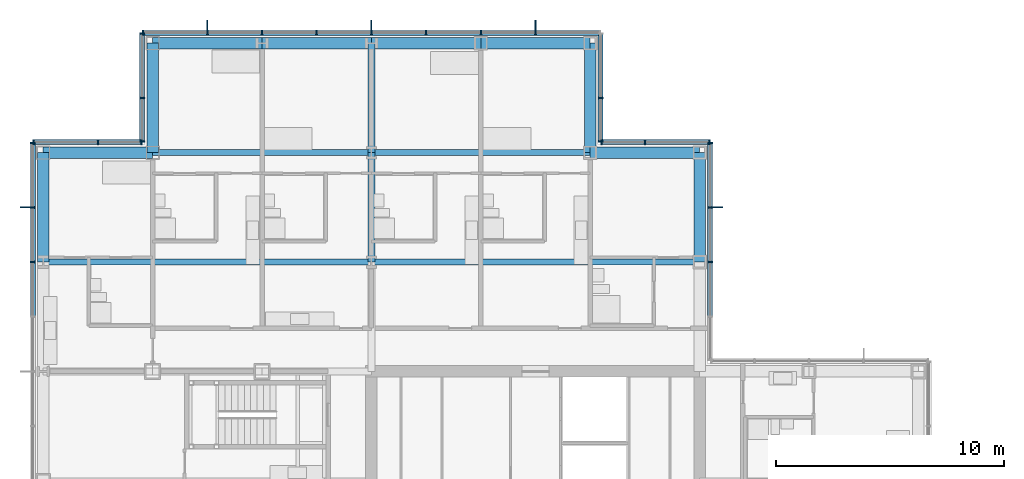
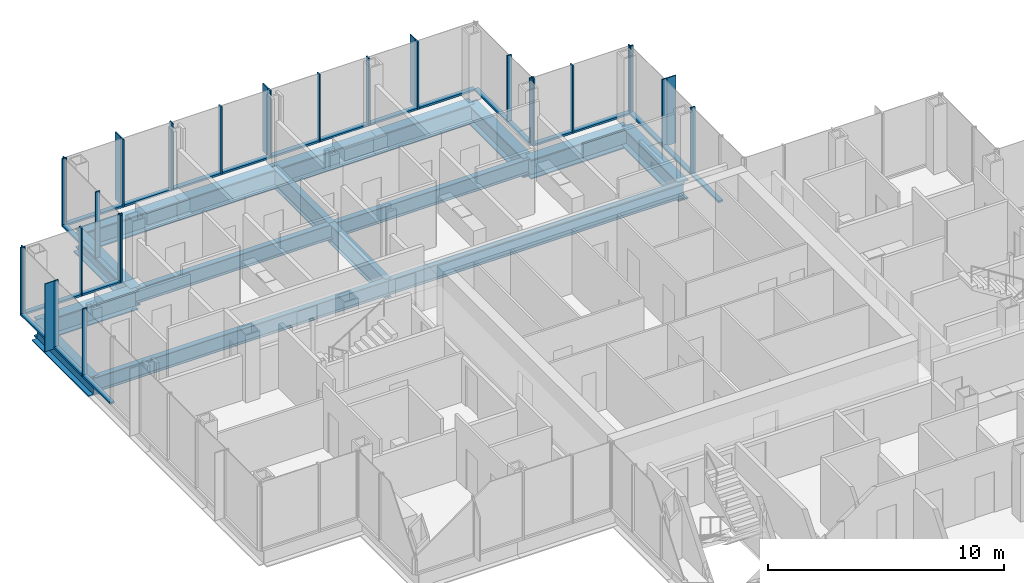
# One storey, part 10 of 20: 52 members, 16 beams, 7 elements without a shape of their own.
"""IFC4 building model written with IfcOpenShell, lengths in metres."""

from ifc_helpers import new_model, si_unit, direction, frame, origin, origin_2d, place, context, subcontext, project, spatial, rectangle, i_section, extrude, material, material_profile, profile_set, type_object, element, aggregate, save


model = new_model("IFC4")

# Units and contexts
model_context = context("Model", 3, precision=1e-05, world=origin(), true_north=direction((0.0, 1.0)))
body_context = subcontext(model_context, "Body", "Model", "MODEL_VIEW")
ifc_project = project(units=[si_unit("LENGTHUNIT", "METRE"), si_unit("AREAUNIT", "SQUARE_METRE"), si_unit("VOLUMEUNIT", "CUBIC_METRE"), si_unit("PLANEANGLEUNIT", "RADIAN"), si_unit("MASSUNIT", "GRAM", prefix="KILO")], contexts=[model_context])

# Site, building, storey
site_placement = place(None, origin())
site = spatial("IfcSite", under=ifc_project, at=site_placement, CompositionType="ELEMENT")
building_placement = place(site_placement, origin())
building = spatial("IfcBuilding", under=site, at=building_placement, Name="Kvirike Care Tower", CompositionType="ELEMENT")
storey_placement = place(building_placement, frame((0.0, 0.0, 91.0)))
storey = spatial("IfcBuildingStorey", under=building, at=storey_placement, Name="L24", CompositionType="ELEMENT", Elevation=91.0)

# Curtain wall, member
ifc_material_1 = material(Name="Anodised aluminium stick system", Category="aluminium")
curtain_wall_type = type_object("IfcCurtainWallType", Name="CW-B STICK CURTAIN WALL", PredefinedType="NOTDEFINED", material=ifc_material_1)
curtain_wall_1_placement = place(storey_placement, origin())
curtain_wall_1 = element("IfcCurtainWall", 1, at=curtain_wall_1_placement, inside=storey, type_object=curtain_wall_type, Name="Curtain wall L24 face 5", PredefinedType="NOTDEFINED")
ifc_material_2 = material(Name="Bronze anodised aluminium fin", Category="aluminium")
ifc_material_profile_1 = material_profile(ifc_material_2, rectangle(XDim=0.050048828125, YDim=0.449951171875, at=origin_2d()), Name="BRONZE FIN 450")
ifc_profile_set_1 = profile_set([ifc_material_profile_1], Name="Bronze anodised aluminium fin")
member_type_1 = type_object("IfcMemberType", Name="BRONZE FIN 450", PredefinedType="USERDEFINED", material=ifc_profile_set_1)
member_1_placement = place(storey_placement, frame((29.594970703125, 50.39990234375, 0.0), z_axis=(0.0, 0.0, 1.0), x_axis=(0.0, 1.0, 0.0)))
member_1 = element("IfcMember", 2, at=member_1_placement, type_object=member_type_1, Name="Bronze fin L24 face 5.4", ObjectType="FIN", PredefinedType="USERDEFINED", context=body_context, shape_type="SweptSolid", body=[
    extrude(rectangle(XDim=0.050048828125, YDim=0.449951171875, at=origin_2d()), origin(), (0.0, 0.0, 1.0), 3.5),
])

# Curtain wall, members
curtain_wall_2_placement = place(storey_placement, origin())
curtain_wall_2 = element("IfcCurtainWall", 3, at=curtain_wall_2_placement, inside=storey, type_object=curtain_wall_type, Name="Curtain wall L24 face 8", PredefinedType="NOTDEFINED")
member_2_placement = place(storey_placement, frame((21.60009765625, 58.39501953125, 0.0), z_axis=(0.0, 0.0, 1.0), x_axis=(-1.0, 0.0, 0.0)))
member_2 = element("IfcMember", 4, at=member_2_placement, type_object=member_type_1, Name="Bronze fin L24 face 8.2", ObjectType="FIN", PredefinedType="USERDEFINED", context=body_context, shape_type="SweptSolid", body=[
    extrude(rectangle(XDim=0.050048828125, YDim=0.449951171875, at=origin_2d()), origin(), (0.0, 0.0, 1.0), 3.5),
])
member_3_placement = place(storey_placement, frame((14.39990234375, 58.39501953125, 0.0), z_axis=(0.0, 0.0, 1.0), x_axis=(-1.0, 0.0, 0.0)))
member_3 = element("IfcMember", 5, at=member_3_placement, type_object=member_type_1, Name="Bronze fin L24 face 8.5", ObjectType="FIN", PredefinedType="USERDEFINED", context=body_context, shape_type="SweptSolid", body=[
    extrude(rectangle(XDim=0.050048828125, YDim=0.449951171875, at=origin_2d()), origin(), (0.0, 0.0, 1.0), 3.5),
])
member_4_placement = place(storey_placement, frame((7.199951171875, 58.39501953125, 0.0), z_axis=(0.0, 0.0, 1.0), x_axis=(-1.0, 0.0, 0.0)))
member_4 = element("IfcMember", 6, at=member_4_placement, type_object=member_type_1, Name="Bronze fin L24 face 8.8", ObjectType="FIN", PredefinedType="USERDEFINED", context=body_context, shape_type="SweptSolid", body=[
    extrude(rectangle(XDim=0.050048828125, YDim=0.449951171875, at=origin_2d()), origin(), (0.0, 0.0, 1.0), 3.5),
])

# Curtain wall, member
curtain_wall_3_placement = place(storey_placement, origin())
curtain_wall_3 = element("IfcCurtainWall", 7, at=curtain_wall_3_placement, inside=storey, type_object=curtain_wall_type, Name="Curtain wall L24 face 11", PredefinedType="NOTDEFINED")
member_5_placement = place(storey_placement, frame((-0.794921875, 50.39990234375, 0.0), z_axis=(0.0, 0.0, 1.0), x_axis=(0.0, -1.0, 0.0)))
member_5 = element("IfcMember", 8, at=member_5_placement, type_object=member_type_1, Name="Bronze fin L24 face 11.2", ObjectType="FIN", PredefinedType="USERDEFINED", context=body_context, shape_type="SweptSolid", body=[
    extrude(rectangle(XDim=0.050048828125, YDim=0.449951171875, at=origin_2d()), origin(), (0.0, 0.0, 1.0), 3.5),
])

# Member
ifc_material_3 = material(Name="Bronze anodised aluminium mullion", Category="aluminium")
ifc_material_profile_2 = material_profile(ifc_material_3, rectangle(XDim=0.06494140625, YDim=0.219970703125, at=origin_2d()), Name="CW-B MULLION 65x220")
ifc_profile_set_2 = profile_set([ifc_material_profile_2], Name="Bronze anodised aluminium mullion")
member_type_2 = type_object("IfcMemberType", Name="CW-B MULLION 65x220", PredefinedType="MULLION", material=ifc_profile_set_2)
member_6_placement = place(storey_placement, frame((29.260009765625, 48.0, 0.0), z_axis=(0.0, 0.0, 1.0), x_axis=(0.0, 1.0, 0.0)))
member_6 = element("IfcMember", 9, at=member_6_placement, type_object=member_type_2, Name="CW-B mullion L24 face 5.3", PredefinedType="MULLION", context=body_context, shape_type="SweptSolid", body=[
    extrude(rectangle(XDim=0.06494140625, YDim=0.219970703125, at=origin_2d()), origin(), (0.0, 0.0, 1.0), 3.5),
])

member_7_placement = place(storey_placement, frame((29.260009765625, 50.39990234375, 0.0), z_axis=(0.0, 0.0, 1.0), x_axis=(0.0, 1.0, 0.0)))
member_7 = element("IfcMember", 10, at=member_7_placement, type_object=member_type_2, Name="CW-B mullion L24 face 5.4", PredefinedType="MULLION", context=body_context, shape_type="SweptSolid", body=[
    extrude(rectangle(XDim=0.06494140625, YDim=0.219970703125, at=origin_2d()), origin(), (0.0, 0.0, 1.0), 3.5),
])

member_8_placement = place(storey_placement, frame((29.260009765625, 53.2275390625, 0.0), z_axis=(0.0, 0.0, 1.0), x_axis=(0.0, 1.0, 0.0)))
member_8 = element("IfcMember", 11, at=member_8_placement, type_object=member_type_2, Name="CW-B mullion L24 face 5.5", PredefinedType="MULLION", context=body_context, shape_type="SweptSolid", body=[
    extrude(rectangle(XDim=0.06494140625, YDim=0.219970703125, at=origin_2d()), origin(), (0.0, 0.0, 1.0), 3.5),
])

# Curtain wall, members
curtain_wall_4_placement = place(storey_placement, origin())
curtain_wall_4 = element("IfcCurtainWall", 12, at=curtain_wall_4_placement, inside=storey, type_object=curtain_wall_type, Name="Curtain wall L24 face 6", PredefinedType="NOTDEFINED")
member_9_placement = place(storey_placement, frame((29.2275390625, 53.260009765625, 0.0), z_axis=(0.0, 0.0, 1.0), x_axis=(-1.0, 0.0, 0.0)))
member_9 = element("IfcMember", 13, at=member_9_placement, type_object=member_type_2, Name="CW-B mullion L24 face 6.1", PredefinedType="MULLION", context=body_context, shape_type="SweptSolid", body=[
    extrude(rectangle(XDim=0.06494140625, YDim=0.219970703125, at=origin_2d()), origin(), (0.0, 0.0, 1.0), 3.5),
])
member_10_placement = place(storey_placement, frame((26.39990234375, 53.260009765625, 0.0), z_axis=(0.0, 0.0, 1.0), x_axis=(-1.0, 0.0, 0.0)))
member_10 = element("IfcMember", 14, at=member_10_placement, type_object=member_type_2, Name="CW-B mullion L24 face 6.2", PredefinedType="MULLION", context=body_context, shape_type="SweptSolid", body=[
    extrude(rectangle(XDim=0.06494140625, YDim=0.219970703125, at=origin_2d()), origin(), (0.0, 0.0, 1.0), 3.5),
])
member_11_placement = place(storey_placement, frame((24.492431640625, 53.260009765625, 0.0), z_axis=(0.0, 0.0, 1.0), x_axis=(-1.0, 0.0, 0.0)))
member_11 = element("IfcMember", 15, at=member_11_placement, type_object=member_type_2, Name="CW-B mullion L24 face 6.3", PredefinedType="MULLION", context=body_context, shape_type="SweptSolid", body=[
    extrude(rectangle(XDim=0.06494140625, YDim=0.219970703125, at=origin_2d()), origin(), (0.0, 0.0, 1.0), 3.5),
])

curtain_wall_5_placement = place(storey_placement, origin())
curtain_wall_5 = element("IfcCurtainWall", 16, at=curtain_wall_5_placement, inside=storey, type_object=curtain_wall_type, Name="Curtain wall L24 face 7", PredefinedType="NOTDEFINED")
member_12_placement = place(storey_placement, frame((24.4599609375, 53.29248046875, 0.0), z_axis=(0.0, 0.0, 1.0), x_axis=(0.0, 1.0, 0.0)))
member_12 = element("IfcMember", 17, at=member_12_placement, type_object=member_type_2, Name="CW-B mullion L24 face 7.1", PredefinedType="MULLION", context=body_context, shape_type="SweptSolid", body=[
    extrude(rectangle(XDim=0.06494140625, YDim=0.219970703125, at=origin_2d()), origin(), (0.0, 0.0, 1.0), 3.5),
])
member_13_placement = place(storey_placement, frame((24.4599609375, 55.199951171875, 0.0), z_axis=(0.0, 0.0, 1.0), x_axis=(0.0, 1.0, 0.0)))
member_13 = element("IfcMember", 18, at=member_13_placement, type_object=member_type_2, Name="CW-B mullion L24 face 7.2", PredefinedType="MULLION", context=body_context, shape_type="SweptSolid", body=[
    extrude(rectangle(XDim=0.06494140625, YDim=0.219970703125, at=origin_2d()), origin(), (0.0, 0.0, 1.0), 3.5),
])

# Member
member_14_placement = place(storey_placement, frame((21.60009765625, 58.06005859375, 0.0), z_axis=(0.0, 0.0, 1.0), x_axis=(-1.0, 0.0, 0.0)))
member_14 = element("IfcMember", 19, at=member_14_placement, type_object=member_type_2, Name="CW-B mullion L24 face 8.2", PredefinedType="MULLION", context=body_context, shape_type="SweptSolid", body=[
    extrude(rectangle(XDim=0.06494140625, YDim=0.219970703125, at=origin_2d()), origin(), (0.0, 0.0, 1.0), 3.5),
])

member_15_placement = place(storey_placement, frame((19.199951171875, 58.06005859375, 0.0), z_axis=(0.0, 0.0, 1.0), x_axis=(-1.0, 0.0, 0.0)))
member_15 = element("IfcMember", 20, at=member_15_placement, type_object=member_type_2, Name="CW-B mullion L24 face 8.3", PredefinedType="MULLION", context=body_context, shape_type="SweptSolid", body=[
    extrude(rectangle(XDim=0.06494140625, YDim=0.219970703125, at=origin_2d()), origin(), (0.0, 0.0, 1.0), 3.5),
])

member_16_placement = place(storey_placement, frame((16.800048828125, 58.06005859375, 0.0), z_axis=(0.0, 0.0, 1.0), x_axis=(-1.0, 0.0, 0.0)))
member_16 = element("IfcMember", 21, at=member_16_placement, type_object=member_type_2, Name="CW-B mullion L24 face 8.4", PredefinedType="MULLION", context=body_context, shape_type="SweptSolid", body=[
    extrude(rectangle(XDim=0.06494140625, YDim=0.219970703125, at=origin_2d()), origin(), (0.0, 0.0, 1.0), 3.5),
])

member_17_placement = place(storey_placement, frame((14.39990234375, 58.06005859375, 0.0), z_axis=(0.0, 0.0, 1.0), x_axis=(-1.0, 0.0, 0.0)))
member_17 = element("IfcMember", 22, at=member_17_placement, type_object=member_type_2, Name="CW-B mullion L24 face 8.5", PredefinedType="MULLION", context=body_context, shape_type="SweptSolid", body=[
    extrude(rectangle(XDim=0.06494140625, YDim=0.219970703125, at=origin_2d()), origin(), (0.0, 0.0, 1.0), 3.5),
])

member_18_placement = place(storey_placement, frame((12.0, 58.06005859375, 0.0), z_axis=(0.0, 0.0, 1.0), x_axis=(-1.0, 0.0, 0.0)))
member_18 = element("IfcMember", 23, at=member_18_placement, type_object=member_type_2, Name="CW-B mullion L24 face 8.6", PredefinedType="MULLION", context=body_context, shape_type="SweptSolid", body=[
    extrude(rectangle(XDim=0.06494140625, YDim=0.219970703125, at=origin_2d()), origin(), (0.0, 0.0, 1.0), 3.5),
])

member_19_placement = place(storey_placement, frame((9.60009765625, 58.06005859375, 0.0), z_axis=(0.0, 0.0, 1.0), x_axis=(-1.0, 0.0, 0.0)))
member_19 = element("IfcMember", 24, at=member_19_placement, type_object=member_type_2, Name="CW-B mullion L24 face 8.7", PredefinedType="MULLION", context=body_context, shape_type="SweptSolid", body=[
    extrude(rectangle(XDim=0.06494140625, YDim=0.219970703125, at=origin_2d()), origin(), (0.0, 0.0, 1.0), 3.5),
])

member_20_placement = place(storey_placement, frame((7.199951171875, 58.06005859375, 0.0), z_axis=(0.0, 0.0, 1.0), x_axis=(-1.0, 0.0, 0.0)))
member_20 = element("IfcMember", 25, at=member_20_placement, type_object=member_type_2, Name="CW-B mullion L24 face 8.8", PredefinedType="MULLION", context=body_context, shape_type="SweptSolid", body=[
    extrude(rectangle(XDim=0.06494140625, YDim=0.219970703125, at=origin_2d()), origin(), (0.0, 0.0, 1.0), 3.5),
])

member_21_placement = place(storey_placement, frame((4.37255859375, 58.06005859375, 0.0), z_axis=(0.0, 0.0, 1.0), x_axis=(-1.0, 0.0, 0.0)))
member_21 = element("IfcMember", 26, at=member_21_placement, type_object=member_type_2, Name="CW-B mullion L24 face 8.9", PredefinedType="MULLION", context=body_context, shape_type="SweptSolid", body=[
    extrude(rectangle(XDim=0.06494140625, YDim=0.219970703125, at=origin_2d()), origin(), (0.0, 0.0, 1.0), 3.5),
])

# Curtain wall, members
curtain_wall_6_placement = place(storey_placement, origin())
curtain_wall_6 = element("IfcCurtainWall", 27, at=curtain_wall_6_placement, inside=storey, type_object=curtain_wall_type, Name="Curtain wall L24 face 9", PredefinedType="NOTDEFINED")
member_22_placement = place(storey_placement, frame((4.340087890625, 58.027587890625, 0.0), z_axis=(0.0, 0.0, 1.0), x_axis=(0.0, -1.0, 0.0)))
member_22 = element("IfcMember", 28, at=member_22_placement, type_object=member_type_2, Name="CW-B mullion L24 face 9.1", PredefinedType="MULLION", context=body_context, shape_type="SweptSolid", body=[
    extrude(rectangle(XDim=0.06494140625, YDim=0.219970703125, at=origin_2d()), origin(), (0.0, 0.0, 1.0), 3.5),
])
member_23_placement = place(storey_placement, frame((4.340087890625, 55.199951171875, 0.0), z_axis=(0.0, 0.0, 1.0), x_axis=(0.0, -1.0, 0.0)))
member_23 = element("IfcMember", 29, at=member_23_placement, type_object=member_type_2, Name="CW-B mullion L24 face 9.2", PredefinedType="MULLION", context=body_context, shape_type="SweptSolid", body=[
    extrude(rectangle(XDim=0.06494140625, YDim=0.219970703125, at=origin_2d()), origin(), (0.0, 0.0, 1.0), 3.5),
])
member_24_placement = place(storey_placement, frame((4.340087890625, 53.29248046875, 0.0), z_axis=(0.0, 0.0, 1.0), x_axis=(0.0, -1.0, 0.0)))
member_24 = element("IfcMember", 30, at=member_24_placement, type_object=member_type_2, Name="CW-B mullion L24 face 9.3", PredefinedType="MULLION", context=body_context, shape_type="SweptSolid", body=[
    extrude(rectangle(XDim=0.06494140625, YDim=0.219970703125, at=origin_2d()), origin(), (0.0, 0.0, 1.0), 3.5),
])

curtain_wall_7_placement = place(storey_placement, origin())
curtain_wall_7 = element("IfcCurtainWall", 31, at=curtain_wall_7_placement, inside=storey, type_object=curtain_wall_type, Name="Curtain wall L24 face 10", PredefinedType="NOTDEFINED")
member_25_placement = place(storey_placement, frame((4.3076171875, 53.260009765625, 0.0), z_axis=(0.0, 0.0, 1.0), x_axis=(-1.0, 0.0, 0.0)))
member_25 = element("IfcMember", 32, at=member_25_placement, type_object=member_type_2, Name="CW-B mullion L24 face 10.1", PredefinedType="MULLION", context=body_context, shape_type="SweptSolid", body=[
    extrude(rectangle(XDim=0.06494140625, YDim=0.219970703125, at=origin_2d()), origin(), (0.0, 0.0, 1.0), 3.5),
])
member_26_placement = place(storey_placement, frame((2.39990234375, 53.260009765625, 0.0), z_axis=(0.0, 0.0, 1.0), x_axis=(-1.0, 0.0, 0.0)))
member_26 = element("IfcMember", 33, at=member_26_placement, type_object=member_type_2, Name="CW-B mullion L24 face 10.2", PredefinedType="MULLION", context=body_context, shape_type="SweptSolid", body=[
    extrude(rectangle(XDim=0.06494140625, YDim=0.219970703125, at=origin_2d()), origin(), (0.0, 0.0, 1.0), 3.5),
])
member_27_placement = place(storey_placement, frame((-0.427490234375, 53.260009765625, 0.0), z_axis=(0.0, 0.0, 1.0), x_axis=(-1.0, 0.0, 0.0)))
member_27 = element("IfcMember", 34, at=member_27_placement, type_object=member_type_2, Name="CW-B mullion L24 face 10.3", PredefinedType="MULLION", context=body_context, shape_type="SweptSolid", body=[
    extrude(rectangle(XDim=0.06494140625, YDim=0.219970703125, at=origin_2d()), origin(), (0.0, 0.0, 1.0), 3.5),
])

# Member
member_28_placement = place(storey_placement, frame((-0.4599609375, 53.2275390625, 0.0), z_axis=(0.0, 0.0, 1.0), x_axis=(0.0, -1.0, 0.0)))
member_28 = element("IfcMember", 35, at=member_28_placement, type_object=member_type_2, Name="CW-B mullion L24 face 11.1", PredefinedType="MULLION", context=body_context, shape_type="SweptSolid", body=[
    extrude(rectangle(XDim=0.06494140625, YDim=0.219970703125, at=origin_2d()), origin(), (0.0, 0.0, 1.0), 3.5),
])

member_29_placement = place(storey_placement, frame((-0.4599609375, 50.39990234375, 0.0), z_axis=(0.0, 0.0, 1.0), x_axis=(0.0, -1.0, 0.0)))
member_29 = element("IfcMember", 36, at=member_29_placement, type_object=member_type_2, Name="CW-B mullion L24 face 11.2", PredefinedType="MULLION", context=body_context, shape_type="SweptSolid", body=[
    extrude(rectangle(XDim=0.06494140625, YDim=0.219970703125, at=origin_2d()), origin(), (0.0, 0.0, 1.0), 3.5),
])

member_30_placement = place(storey_placement, frame((-0.4599609375, 48.0, 0.0), z_axis=(0.0, 0.0, 1.0), x_axis=(0.0, -1.0, 0.0)))
member_30 = element("IfcMember", 37, at=member_30_placement, type_object=member_type_2, Name="CW-B mullion L24 face 11.3", PredefinedType="MULLION", context=body_context, shape_type="SweptSolid", body=[
    extrude(rectangle(XDim=0.06494140625, YDim=0.219970703125, at=origin_2d()), origin(), (0.0, 0.0, 1.0), 3.5),
])

ifc_material_4 = material(Name="Bronze anodised aluminium transom", Category="aluminium")
ifc_material_profile_3 = material_profile(ifc_material_4, rectangle(XDim=0.219970703125, YDim=0.10009765625, at=origin_2d()), Name="CW-B TRANSOM 220x100")
ifc_profile_set_3 = profile_set([ifc_material_profile_3], Name="Bronze anodised aluminium transom")
member_type_3 = type_object("IfcMemberType", Name="CW-B TRANSOM 220x100", PredefinedType="USERDEFINED", material=ifc_profile_set_3)
member_31_placement = place(storey_placement, frame((29.260009765625, 45.632568359375, 0.050048828125), z_axis=(0.0, 1.0, 0.0), x_axis=(-1.0, 0.0, 0.0)))
member_31 = element("IfcMember", 38, at=member_31_placement, type_object=member_type_3, Name="CW-B sill transom L24 face 5.2", ObjectType="TRANSOM", PredefinedType="USERDEFINED", context=body_context, shape_type="SweptSolid", body=[
    extrude(rectangle(XDim=0.219970703125, YDim=0.10009765625, at=origin_2d()), origin(), (0.0, 0.0, 1.0), 2.3349609375),
])

member_32_placement = place(storey_placement, frame((29.260009765625, 48.032470703125, 0.050048828125), z_axis=(0.0, 1.0, 0.0), x_axis=(-1.0, 0.0, 0.0)))
member_32 = element("IfcMember", 39, at=member_32_placement, type_object=member_type_3, Name="CW-B sill transom L24 face 5.3", ObjectType="TRANSOM", PredefinedType="USERDEFINED", context=body_context, shape_type="SweptSolid", body=[
    extrude(rectangle(XDim=0.219970703125, YDim=0.10009765625, at=origin_2d()), origin(), (0.0, 0.0, 1.0), 2.3349609375),
])

member_33_placement = place(storey_placement, frame((29.260009765625, 50.4326171875, 0.050048828125), z_axis=(0.0, 1.0, 0.0), x_axis=(-1.0, 0.0, 0.0)))
member_33 = element("IfcMember", 40, at=member_33_placement, type_object=member_type_3, Name="CW-B sill transom L24 face 5.4", ObjectType="TRANSOM", PredefinedType="USERDEFINED", context=body_context, shape_type="SweptSolid", body=[
    extrude(rectangle(XDim=0.219970703125, YDim=0.10009765625, at=origin_2d()), origin(), (0.0, 0.0, 1.0), 2.762451171875),
])

aggregate(curtain_wall_1, [member_6, member_7, member_1, member_8, member_31, member_32, member_33])

member_34_placement = place(storey_placement, frame((29.195068359375, 53.260009765625, 0.050048828125), z_axis=(-1.0, 0.0, 0.0), x_axis=(0.0, -1.0, 0.0)))
member_34 = element("IfcMember", 41, at=member_34_placement, type_object=member_type_3, Name="CW-B sill transom L24 face 6.1", ObjectType="TRANSOM", PredefinedType="USERDEFINED", context=body_context, shape_type="SweptSolid", body=[
    extrude(rectangle(XDim=0.219970703125, YDim=0.10009765625, at=origin_2d()), origin(), (0.0, 0.0, 1.0), 2.762451171875),
])

member_35_placement = place(storey_placement, frame((26.367431640625, 53.260009765625, 0.050048828125), z_axis=(-1.0, 0.0, 0.0), x_axis=(0.0, -1.0, 0.0)))
member_35 = element("IfcMember", 42, at=member_35_placement, type_object=member_type_3, Name="CW-B sill transom L24 face 6.2", ObjectType="TRANSOM", PredefinedType="USERDEFINED", context=body_context, shape_type="SweptSolid", body=[
    extrude(rectangle(XDim=0.219970703125, YDim=0.10009765625, at=origin_2d()), origin(), (0.0, 0.0, 1.0), 1.842529296875),
])

aggregate(curtain_wall_4, [member_9, member_10, member_11, member_34, member_35])

member_36_placement = place(storey_placement, frame((24.4599609375, 53.324951171875, 0.050048828125), z_axis=(0.0, 1.0, 0.0), x_axis=(-1.0, 0.0, 0.0)))
member_36 = element("IfcMember", 43, at=member_36_placement, type_object=member_type_3, Name="CW-B sill transom L24 face 7.1", ObjectType="TRANSOM", PredefinedType="USERDEFINED", context=body_context, shape_type="SweptSolid", body=[
    extrude(rectangle(XDim=0.219970703125, YDim=0.10009765625, at=origin_2d()), origin(), (0.0, 0.0, 1.0), 1.842529296875),
])

member_37_placement = place(storey_placement, frame((24.4599609375, 55.232421875, 0.050048828125), z_axis=(0.0, 1.0, 0.0), x_axis=(-1.0, 0.0, 0.0)))
member_37 = element("IfcMember", 44, at=member_37_placement, type_object=member_type_3, Name="CW-B sill transom L24 face 7.2", ObjectType="TRANSOM", PredefinedType="USERDEFINED", context=body_context, shape_type="SweptSolid", body=[
    extrude(rectangle(XDim=0.219970703125, YDim=0.10009765625, at=origin_2d()), origin(), (0.0, 0.0, 1.0), 2.7626953125),
])

aggregate(curtain_wall_5, [member_12, member_13, member_36, member_37])

member_38_placement = place(storey_placement, frame((24.39501953125, 58.06005859375, 0.050048828125), z_axis=(-1.0, 0.0, 0.0), x_axis=(0.0, -1.0, 0.0)))
member_38 = element("IfcMember", 45, at=member_38_placement, type_object=member_type_3, Name="CW-B sill transom L24 face 8.1", ObjectType="TRANSOM", PredefinedType="USERDEFINED", context=body_context, shape_type="SweptSolid", body=[
    extrude(rectangle(XDim=0.219970703125, YDim=0.10009765625, at=origin_2d()), origin(), (0.0, 0.0, 1.0), 2.762451171875),
])

member_39_placement = place(storey_placement, frame((21.5673828125, 58.06005859375, 0.050048828125), z_axis=(-1.0, 0.0, 0.0), x_axis=(0.0, -1.0, 0.0)))
member_39 = element("IfcMember", 46, at=member_39_placement, type_object=member_type_3, Name="CW-B sill transom L24 face 8.2", ObjectType="TRANSOM", PredefinedType="USERDEFINED", context=body_context, shape_type="SweptSolid", body=[
    extrude(rectangle(XDim=0.219970703125, YDim=0.10009765625, at=origin_2d()), origin(), (0.0, 0.0, 1.0), 2.3349609375),
])

member_40_placement = place(storey_placement, frame((19.16748046875, 58.06005859375, 0.050048828125), z_axis=(-1.0, 0.0, 0.0), x_axis=(0.0, -1.0, 0.0)))
member_40 = element("IfcMember", 47, at=member_40_placement, type_object=member_type_3, Name="CW-B sill transom L24 face 8.3", ObjectType="TRANSOM", PredefinedType="USERDEFINED", context=body_context, shape_type="SweptSolid", body=[
    extrude(rectangle(XDim=0.219970703125, YDim=0.10009765625, at=origin_2d()), origin(), (0.0, 0.0, 1.0), 2.3349609375),
])

member_41_placement = place(storey_placement, frame((16.767578125, 58.06005859375, 0.050048828125), z_axis=(-1.0, 0.0, 0.0), x_axis=(0.0, -1.0, 0.0)))
member_41 = element("IfcMember", 48, at=member_41_placement, type_object=member_type_3, Name="CW-B sill transom L24 face 8.4", ObjectType="TRANSOM", PredefinedType="USERDEFINED", context=body_context, shape_type="SweptSolid", body=[
    extrude(rectangle(XDim=0.219970703125, YDim=0.10009765625, at=origin_2d()), origin(), (0.0, 0.0, 1.0), 2.3349609375),
])

member_42_placement = place(storey_placement, frame((14.367431640625, 58.06005859375, 0.050048828125), z_axis=(-1.0, 0.0, 0.0), x_axis=(0.0, -1.0, 0.0)))
member_42 = element("IfcMember", 49, at=member_42_placement, type_object=member_type_3, Name="CW-B sill transom L24 face 8.5", ObjectType="TRANSOM", PredefinedType="USERDEFINED", context=body_context, shape_type="SweptSolid", body=[
    extrude(rectangle(XDim=0.219970703125, YDim=0.10009765625, at=origin_2d()), origin(), (0.0, 0.0, 1.0), 2.3349609375),
])

member_43_placement = place(storey_placement, frame((11.967529296875, 58.06005859375, 0.050048828125), z_axis=(-1.0, 0.0, 0.0), x_axis=(0.0, -1.0, 0.0)))
member_43 = element("IfcMember", 50, at=member_43_placement, type_object=member_type_3, Name="CW-B sill transom L24 face 8.6", ObjectType="TRANSOM", PredefinedType="USERDEFINED", context=body_context, shape_type="SweptSolid", body=[
    extrude(rectangle(XDim=0.219970703125, YDim=0.10009765625, at=origin_2d()), origin(), (0.0, 0.0, 1.0), 2.3349609375),
])

member_44_placement = place(storey_placement, frame((9.5673828125, 58.06005859375, 0.050048828125), z_axis=(-1.0, 0.0, 0.0), x_axis=(0.0, -1.0, 0.0)))
member_44 = element("IfcMember", 51, at=member_44_placement, type_object=member_type_3, Name="CW-B sill transom L24 face 8.7", ObjectType="TRANSOM", PredefinedType="USERDEFINED", context=body_context, shape_type="SweptSolid", body=[
    extrude(rectangle(XDim=0.219970703125, YDim=0.10009765625, at=origin_2d()), origin(), (0.0, 0.0, 1.0), 2.3349609375),
])

member_45_placement = place(storey_placement, frame((7.16748046875, 58.06005859375, 0.050048828125), z_axis=(-1.0, 0.0, 0.0), x_axis=(0.0, -1.0, 0.0)))
member_45 = element("IfcMember", 52, at=member_45_placement, type_object=member_type_3, Name="CW-B sill transom L24 face 8.8", ObjectType="TRANSOM", PredefinedType="USERDEFINED", context=body_context, shape_type="SweptSolid", body=[
    extrude(rectangle(XDim=0.219970703125, YDim=0.10009765625, at=origin_2d()), origin(), (0.0, 0.0, 1.0), 2.762451171875),
])

aggregate(curtain_wall_2, [member_14, member_2, member_15, member_16, member_17, member_3, member_18, member_19, member_20, member_4, member_21, member_38, member_39, member_40, member_41, member_42, member_43, member_44, member_45])

member_46_placement = place(storey_placement, frame((4.340087890625, 57.9951171875, 0.050048828125), z_axis=(0.0, -1.0, 0.0), x_axis=(1.0, 0.0, 0.0)))
member_46 = element("IfcMember", 53, at=member_46_placement, type_object=member_type_3, Name="CW-B sill transom L24 face 9.1", ObjectType="TRANSOM", PredefinedType="USERDEFINED", context=body_context, shape_type="SweptSolid", body=[
    extrude(rectangle(XDim=0.219970703125, YDim=0.10009765625, at=origin_2d()), origin(), (0.0, 0.0, 1.0), 2.7626953125),
])

member_47_placement = place(storey_placement, frame((4.340087890625, 55.16748046875, 0.050048828125), z_axis=(0.0, -1.0, 0.0), x_axis=(1.0, 0.0, 0.0)))
member_47 = element("IfcMember", 54, at=member_47_placement, type_object=member_type_3, Name="CW-B sill transom L24 face 9.2", ObjectType="TRANSOM", PredefinedType="USERDEFINED", context=body_context, shape_type="SweptSolid", body=[
    extrude(rectangle(XDim=0.219970703125, YDim=0.10009765625, at=origin_2d()), origin(), (0.0, 0.0, 1.0), 1.842529296875),
])

aggregate(curtain_wall_6, [member_22, member_23, member_24, member_46, member_47])

member_48_placement = place(storey_placement, frame((4.27490234375, 53.260009765625, 0.050048828125), z_axis=(-1.0, 0.0, 0.0), x_axis=(0.0, -1.0, 0.0)))
member_48 = element("IfcMember", 55, at=member_48_placement, type_object=member_type_3, Name="CW-B sill transom L24 face 10.1", ObjectType="TRANSOM", PredefinedType="USERDEFINED", context=body_context, shape_type="SweptSolid", body=[
    extrude(rectangle(XDim=0.219970703125, YDim=0.10009765625, at=origin_2d()), origin(), (0.0, 0.0, 1.0), 1.84228515625),
])

member_49_placement = place(storey_placement, frame((2.367431640625, 53.260009765625, 0.050048828125), z_axis=(-1.0, 0.0, 0.0), x_axis=(0.0, -1.0, 0.0)))
member_49 = element("IfcMember", 56, at=member_49_placement, type_object=member_type_3, Name="CW-B sill transom L24 face 10.2", ObjectType="TRANSOM", PredefinedType="USERDEFINED", context=body_context, shape_type="SweptSolid", body=[
    extrude(rectangle(XDim=0.219970703125, YDim=0.10009765625, at=origin_2d()), origin(), (0.0, 0.0, 1.0), 2.762451171875),
])

aggregate(curtain_wall_7, [member_25, member_26, member_27, member_48, member_49])

member_50_placement = place(storey_placement, frame((-0.4599609375, 53.195068359375, 0.050048828125), z_axis=(0.0, -1.0, 0.0), x_axis=(1.0, 0.0, 0.0)))
member_50 = element("IfcMember", 57, at=member_50_placement, type_object=member_type_3, Name="CW-B sill transom L24 face 11.1", ObjectType="TRANSOM", PredefinedType="USERDEFINED", context=body_context, shape_type="SweptSolid", body=[
    extrude(rectangle(XDim=0.219970703125, YDim=0.10009765625, at=origin_2d()), origin(), (0.0, 0.0, 1.0), 2.762451171875),
])

member_51_placement = place(storey_placement, frame((-0.4599609375, 50.367431640625, 0.050048828125), z_axis=(0.0, -1.0, 0.0), x_axis=(1.0, 0.0, 0.0)))
member_51 = element("IfcMember", 58, at=member_51_placement, type_object=member_type_3, Name="CW-B sill transom L24 face 11.2", ObjectType="TRANSOM", PredefinedType="USERDEFINED", context=body_context, shape_type="SweptSolid", body=[
    extrude(rectangle(XDim=0.219970703125, YDim=0.10009765625, at=origin_2d()), origin(), (0.0, 0.0, 1.0), 2.3349609375),
])

member_52_placement = place(storey_placement, frame((-0.4599609375, 47.967529296875, 0.050048828125), z_axis=(0.0, -1.0, 0.0), x_axis=(1.0, 0.0, 0.0)))
member_52 = element("IfcMember", 59, at=member_52_placement, type_object=member_type_3, Name="CW-B sill transom L24 face 11.3", ObjectType="TRANSOM", PredefinedType="USERDEFINED", context=body_context, shape_type="SweptSolid", body=[
    extrude(rectangle(XDim=0.219970703125, YDim=0.10009765625, at=origin_2d()), origin(), (0.0, 0.0, 1.0), 2.3349609375),
])

aggregate(curtain_wall_3, [member_28, member_29, member_5, member_30, member_50, member_51, member_52])

# Beams
ifc_material_5 = material(Name="Steel S355", Category="steel")
ifc_material_profile_4 = material_profile(ifc_material_5, i_section(OverallWidth=0.26806640625, OverallDepth=0.77001953125, WebThickness=0.015625, FlangeThickness=0.025390625, FilletRadius=0.01708984375, at=origin_2d()), Name="IPE 750x196")
ifc_profile_set_4 = profile_set([ifc_material_profile_4], Name="Steel S355")
beam_type_1 = type_object("IfcBeamType", Name="FLOOR BEAM IPE 750x196", PredefinedType="BEAM", material=ifc_profile_set_4)
beam_1_placement = place(storey_placement, frame((0.0, 48.0, -0.554931640625), z_axis=(1.0, 0.0, 0.0), x_axis=(0.0, 1.0, 0.0)))
element("IfcBeam", 60, at=beam_1_placement, inside=storey, type_object=beam_type_1, Name="Floor Beam L3-L6 L24", PredefinedType="BEAM", context=body_context, shape_type="SweptSolid", body=[
    extrude(i_section(OverallWidth=0.26806640625, OverallDepth=0.77001953125, WebThickness=0.015625, FlangeThickness=0.025390625, FilletRadius=0.01708984375, at=origin_2d()), origin(), (0.0, 0.0, 1.0), 14.39990234375),
])
beam_2_placement = place(storey_placement, frame((14.39990234375, 48.0, -0.554931640625), z_axis=(1.0, 0.0, 0.0), x_axis=(0.0, 1.0, 0.0)))
element("IfcBeam", 61, at=beam_2_placement, inside=storey, type_object=beam_type_1, Name="Floor Beam L6-L9 L24", PredefinedType="BEAM", context=body_context, shape_type="SweptSolid", body=[
    extrude(i_section(OverallWidth=0.26806640625, OverallDepth=0.77001953125, WebThickness=0.015625, FlangeThickness=0.025390625, FilletRadius=0.01708984375, at=origin_2d()), origin(), (0.0, 0.0, 1.0), 14.400146484375),
])
beam_3_placement = place(storey_placement, frame((4.800048828125, 52.800048828125, -0.554931640625), z_axis=(1.0, 0.0, 0.0), x_axis=(0.0, 1.0, 0.0)))
element("IfcBeam", 62, at=beam_3_placement, inside=storey, type_object=beam_type_1, Name="Floor Beam M4-M6 L24", PredefinedType="BEAM", context=body_context, shape_type="SweptSolid", body=[
    extrude(i_section(OverallWidth=0.26806640625, OverallDepth=0.77001953125, WebThickness=0.015625, FlangeThickness=0.025390625, FilletRadius=0.01708984375, at=origin_2d()), origin(), (0.0, 0.0, 1.0), 9.599853515625),
])
beam_4_placement = place(storey_placement, frame((14.39990234375, 52.800048828125, -0.554931640625), z_axis=(1.0, 0.0, 0.0), x_axis=(0.0, 1.0, 0.0)))
element("IfcBeam", 63, at=beam_4_placement, inside=storey, type_object=beam_type_1, Name="Floor Beam M6-M8 L24", PredefinedType="BEAM", context=body_context, shape_type="SweptSolid", body=[
    extrude(i_section(OverallWidth=0.26806640625, OverallDepth=0.77001953125, WebThickness=0.015625, FlangeThickness=0.025390625, FilletRadius=0.01708984375, at=origin_2d()), origin(), (0.0, 0.0, 1.0), 9.60009765625),
])
ifc_material_6 = material(Name="Steel S355", Category="steel")
ifc_material_profile_5 = material_profile(ifc_material_6, i_section(OverallWidth=0.300048828125, OverallDepth=1.0, WebThickness=0.01904296875, FlangeThickness=0.035888671875, FilletRadius=0.030029296875, at=origin_2d()), Name="HE 1000 B")
ifc_profile_set_5 = profile_set([ifc_material_profile_5], Name="Steel S355")
beam_type_2 = type_object("IfcBeamType", Name="FRAME BEAM HE 1000 B", PredefinedType="BEAM", material=ifc_profile_set_5)
for number, where, z_axis, x_axis, name in (
    (64, (14.39990234375, 48.0, -0.669921875), (0.0, 1.0, 0.0), (-1.0, 0.0, 0.0), "Frame Beam L6-M6 L24"),
    (65, (14.39990234375, 52.800048828125, -0.669921875), (0.0, 1.0, 0.0), (-1.0, 0.0, 0.0), "Frame Beam M6-N6 L24"),
):
    element("IfcBeam", number, at=place(storey_placement, frame(where, z_axis=z_axis, x_axis=x_axis)), inside=storey, type_object=beam_type_2, Name=name, PredefinedType="BEAM", context=body_context, shape_type="SweptSolid", body=[
        extrude(i_section(OverallWidth=0.300048828125, OverallDepth=1.0, WebThickness=0.01904296875, FlangeThickness=0.035888671875, FilletRadius=0.030029296875, at=origin_2d()), origin(), (0.0, 0.0, 1.0), 4.800048828125),
    ])
ifc_material_7 = material(Name="Steel S355", Category="steel")
ifc_material_profile_6 = material_profile(ifc_material_7, i_section(OverallWidth=0.5, OverallDepth=1.0, WebThickness=0.030029296875, FlangeThickness=0.06005859375, at=origin_2d()), Name="PG 1000x500x30x60")
ifc_profile_set_6 = profile_set([ifc_material_profile_6], Name="Steel S355")
beam_type_3 = type_object("IfcBeamType", Name="SPANDREL PG 1000x500x30x60", PredefinedType="SPANDREL", material=ifc_profile_set_6)
for number, where, z_axis, x_axis, name in (
    (66, (0.0, 52.800048828125, -0.669921875), (1.0, 0.0, 0.0), (0.0, 1.0, 0.0), "Spandrel M3-M4 L24"),
    (67, (24.0, 52.800048828125, -0.669921875), (1.0, 0.0, 0.0), (0.0, 1.0, 0.0), "Spandrel M8-M9 L24"),
    (68, (4.800048828125, 57.60009765625, -0.669921875), (1.0, 0.0, 0.0), (0.0, 1.0, 0.0), "Spandrel N4-N5 L24"),
):
    element("IfcBeam", number, at=place(storey_placement, frame(where, z_axis=z_axis, x_axis=x_axis)), inside=storey, type_object=beam_type_3, Name=name, PredefinedType="SPANDREL", context=body_context, shape_type="SweptSolid", body=[
        extrude(i_section(OverallWidth=0.5, OverallDepth=1.0, WebThickness=0.030029296875, FlangeThickness=0.06005859375, at=origin_2d()), origin(), (0.0, 0.0, 1.0), 4.800048828125),
    ])
beam_5_placement = place(storey_placement, frame((9.60009765625, 57.60009765625, -0.669921875), z_axis=(1.0, 0.0, 0.0), x_axis=(0.0, 1.0, 0.0)))
element("IfcBeam", 69, at=beam_5_placement, inside=storey, type_object=beam_type_3, Name="Spandrel N5-N6 L24", PredefinedType="SPANDREL", context=body_context, shape_type="SweptSolid", body=[
    extrude(i_section(OverallWidth=0.5, OverallDepth=1.0, WebThickness=0.030029296875, FlangeThickness=0.06005859375, at=origin_2d()), origin(), (0.0, 0.0, 1.0), 4.7998046875),
])
for number, where, z_axis, x_axis, name in (
    (70, (14.39990234375, 57.60009765625, -0.669921875), (1.0, 0.0, 0.0), (0.0, 1.0, 0.0), "Spandrel N6-N7 L24"),
    (71, (19.199951171875, 57.60009765625, -0.669921875), (1.0, 0.0, 0.0), (0.0, 1.0, 0.0), "Spandrel N7-N8 L24"),
    (72, (0.0, 48.0, -0.669921875), (0.0, 1.0, 0.0), (-1.0, 0.0, 0.0), "Spandrel L3-M3 L24"),
    (73, (4.800048828125, 52.800048828125, -0.669921875), (0.0, 1.0, 0.0), (-1.0, 0.0, 0.0), "Spandrel M4-N4 L24"),
    (74, (24.0, 52.800048828125, -0.669921875), (0.0, 1.0, 0.0), (-1.0, 0.0, 0.0), "Spandrel M8-N8 L24"),
    (75, (28.800048828125, 48.0, -0.669921875), (0.0, 1.0, 0.0), (-1.0, 0.0, 0.0), "Spandrel L9-M9 L24"),
):
    element("IfcBeam", number, at=place(storey_placement, frame(where, z_axis=z_axis, x_axis=x_axis)), inside=storey, type_object=beam_type_3, Name=name, PredefinedType="SPANDREL", context=body_context, shape_type="SweptSolid", body=[
        extrude(i_section(OverallWidth=0.5, OverallDepth=1.0, WebThickness=0.030029296875, FlangeThickness=0.06005859375, at=origin_2d()), origin(), (0.0, 0.0, 1.0), 4.800048828125),
    ])

save(model, "model.ifc")
